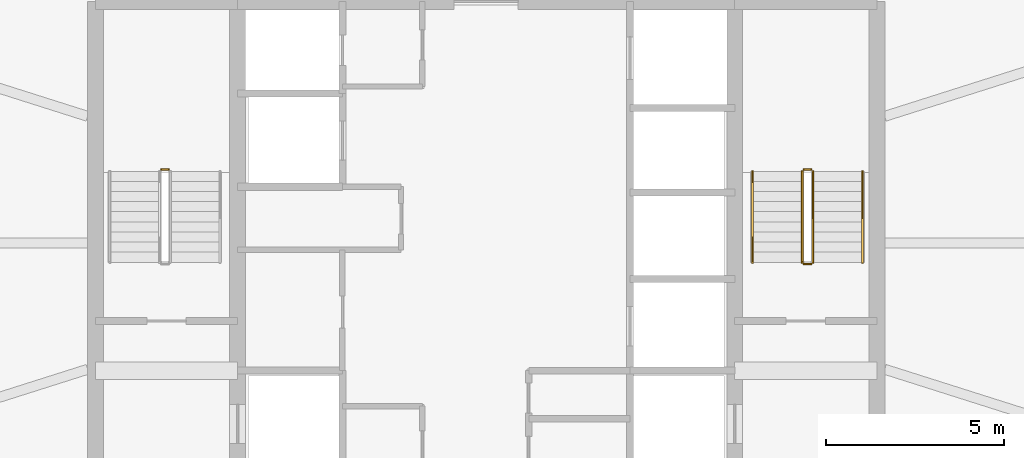
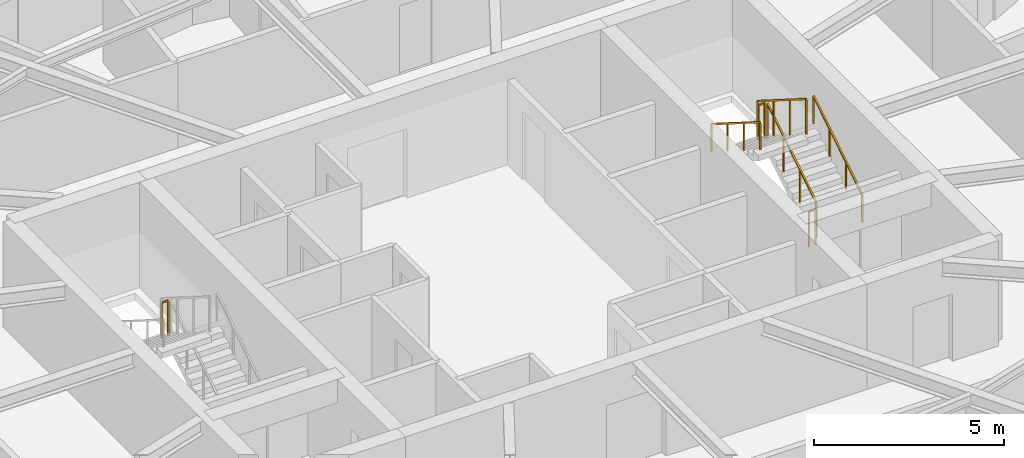
# One storey, part 27 of 27: 7 railings.
"""IFC4 building model written with IfcOpenShell, lengths in metres."""

from ifc_helpers import new_model, si_unit, direction, frame, origin, origin_2d, place, context, subcontext, project, spatial, rectangle, extrude, material, type_object, element, save


model = new_model("IFC4")

# Units and contexts
model_context = context("Model", 3, precision=1e-05, world=origin(), true_north=direction((0.0, 1.0)))
body_context = subcontext(model_context, "Body", "Model", "MODEL_VIEW")
ifc_project = project(units=[si_unit("LENGTHUNIT", "METRE"), si_unit("AREAUNIT", "SQUARE_METRE"), si_unit("VOLUMEUNIT", "CUBIC_METRE"), si_unit("PLANEANGLEUNIT", "RADIAN"), si_unit("MASSUNIT", "GRAM", prefix="KILO")], contexts=[model_context])

# Site, building, storey
site_placement = place(None, origin())
site = spatial("IfcSite", under=ifc_project, at=site_placement, CompositionType="ELEMENT")
building_placement = place(site_placement, origin())
building = spatial("IfcBuilding", under=site, at=building_placement, Name="Sarneth Arch Tower", CompositionType="ELEMENT")
storey_placement = place(building_placement, frame((0.0, 0.0, 193.800048828125)))
storey = spatial("IfcBuildingStorey", under=building, at=storey_placement, Name="L49", CompositionType="ELEMENT", Elevation=193.800048828125)

# Railings
ifc_material_1 = material(Name="Brushed Stainless Steel 304 tubular handrail", Category="steel")
railing_type_1 = type_object("IfcRailingType", Name="RAIL-HANDRAIL-900", PredefinedType="HANDRAIL", material=ifc_material_1)
railing_1_placement = place(storey_placement, frame((58.60009765625, 41.449951171875, 0.179931640625)))
element("IfcRailing", 1, at=railing_1_placement, inside=storey, type_object=railing_type_1, Name="L49 ST-2 stair handrail 1", PredefinedType="HANDRAIL", context=body_context, shape_type="SweptSolid", body=[
    extrude(rectangle(XDim=0.048095703125, YDim=0.048095703125, at=origin_2d()), frame((0.0, 0.0, 0.8759765625), z_axis=(0.0, 0.845465955043, 0.534029323973), x_axis=(-1.0, 0.0, 0.0)), (0.0, 0.0, 1.0), 3.03369140625),
    extrude(rectangle(XDim=0.0419921875, YDim=0.0419921875, at=origin_2d()), origin(), (0.0, 0.0, 1.0), 0.851806640625),
    extrude(rectangle(XDim=0.0419921875, YDim=0.0419921875, at=origin_2d()), frame((0.0, 0.85498046875, 0.5400390625)), (0.0, 0.0, 1.0), 0.851806640625),
    extrude(rectangle(XDim=0.0419921875, YDim=0.0419921875, at=origin_2d()), frame((0.0, 1.7099609375, 1.080078125)), (0.0, 0.0, 1.0), 0.851806640625),
    extrude(rectangle(XDim=0.0419921875, YDim=0.0419921875, at=origin_2d()), frame((0.0, 2.56494140625, 1.6201171875)), (0.0, 0.0, 1.0), 0.851806640625),
])
railing_2_placement = place(storey_placement, frame((55.5, 44.014892578125, 1.97998046875)))
element("IfcRailing", 2, at=railing_2_placement, inside=storey, type_object=railing_type_1, Name="L49 ST-2 stair handrail 2", PredefinedType="HANDRAIL", context=body_context, shape_type="SweptSolid", body=[
    extrude(rectangle(XDim=0.048095703125, YDim=0.048095703125, at=origin_2d()), frame((0.0, 0.0, 0.8759765625), z_axis=(0.0, -0.845502289212, 0.533971796014), x_axis=(1.0, 0.0, 0.0)), (0.0, 0.0, 1.0), 3.03369140625),
    extrude(rectangle(XDim=0.0419921875, YDim=0.0419921875, at=origin_2d()), origin(), (0.0, 0.0, 1.0), 0.851806640625),
    extrude(rectangle(XDim=0.0419921875, YDim=0.0419921875, at=origin_2d()), frame((0.0, -0.85498046875, 0.5400390625)), (0.0, 0.0, 1.0), 0.851806640625),
    extrude(rectangle(XDim=0.0419921875, YDim=0.0419921875, at=origin_2d()), frame((0.0, -1.7099609375, 1.079833984375)), (0.0, 0.0, 1.0), 0.851806640625),
    extrude(rectangle(XDim=0.0419921875, YDim=0.0419921875, at=origin_2d()), frame((0.0, -2.56494140625, 1.619873046875)), (0.0, 0.0, 1.0), 0.851806640625),
])
ifc_material_2 = material(Name="Painted Steel S275 stair well guard", Category="steel")
railing_type_2 = type_object("IfcRailingType", Name="RAIL-STAIR-GUARD", PredefinedType="GUARDRAIL", material=ifc_material_2)
railing_3_placement = place(storey_placement, frame((39.050048828125, 44.06494140625, 1.800048828125)))
element("IfcRailing", 3, at=railing_3_placement, inside=storey, type_object=railing_type_2, Name="L49 ST-1 stair guard 2", PredefinedType="GUARDRAIL", context=body_context, shape_type="SweptSolid", body=[
    extrude(rectangle(XDim=0.048095703125, YDim=0.048095703125, at=origin_2d()), frame((0.0, 0.0, 1.1259765625), z_axis=(-1.0, 0.0, 0.0), x_axis=(0.0, -1.0, 0.0)), (0.0, 0.0, 1.0), 0.199951171875),
    extrude(rectangle(XDim=0.0419921875, YDim=0.0419921875, at=origin_2d()), origin(), (0.0, 0.0, 1.0), 1.101806640625),
    extrude(rectangle(XDim=0.0419921875, YDim=0.0419921875, at=origin_2d()), frame((-0.199951171875, 0.0, 0.0)), (0.0, 0.0, 1.0), 1.101806640625),
])
railing_4_placement = place(storey_placement, frame((57.199951171875, 41.449951171875, 0.179931640625)))
element("IfcRailing", 4, at=railing_4_placement, inside=storey, type_object=railing_type_2, Name="L49 ST-2 stair guard 1", PredefinedType="GUARDRAIL", context=body_context, shape_type="SweptSolid", body=[
    extrude(rectangle(XDim=0.048095703125, YDim=0.048095703125, at=origin_2d()), frame((0.0, 0.0, 1.1259765625), z_axis=(0.0, 0.845465955043, 0.534029323973), x_axis=(-1.0, 0.0, 0.0)), (0.0, 0.0, 1.0), 3.03369140625),
    extrude(rectangle(XDim=0.0419921875, YDim=0.0419921875, at=origin_2d()), origin(), (0.0, 0.0, 1.0), 1.101806640625),
    extrude(rectangle(XDim=0.0419921875, YDim=0.0419921875, at=origin_2d()), frame((0.0, 0.85498046875, 0.5400390625)), (0.0, 0.0, 1.0), 1.101806640625),
    extrude(rectangle(XDim=0.0419921875, YDim=0.0419921875, at=origin_2d()), frame((0.0, 1.7099609375, 1.080078125)), (0.0, 0.0, 1.0), 1.101806640625),
    extrude(rectangle(XDim=0.0419921875, YDim=0.0419921875, at=origin_2d()), frame((0.0, 2.56494140625, 1.6201171875)), (0.0, 0.0, 1.0), 1.101806640625),
])
railing_5_placement = place(storey_placement, frame((57.14990234375, 44.06494140625, 1.800048828125)))
element("IfcRailing", 5, at=railing_5_placement, inside=storey, type_object=railing_type_2, Name="L49 ST-2 stair guard 2", PredefinedType="GUARDRAIL", context=body_context, shape_type="SweptSolid", body=[
    extrude(rectangle(XDim=0.048095703125, YDim=0.048095703125, at=origin_2d()), frame((0.0, 0.0, 1.1259765625), z_axis=(-1.0, 0.0, 0.0), x_axis=(0.0, -1.0, 0.0)), (0.0, 0.0, 1.0), 0.199951171875),
    extrude(rectangle(XDim=0.0419921875, YDim=0.0419921875, at=origin_2d()), origin(), (0.0, 0.0, 1.0), 1.101806640625),
    extrude(rectangle(XDim=0.0419921875, YDim=0.0419921875, at=origin_2d()), frame((-0.199951171875, 0.0, 0.0)), (0.0, 0.0, 1.0), 1.101806640625),
])
railing_6_placement = place(storey_placement, frame((56.89990234375, 44.014892578125, 1.97998046875)))
element("IfcRailing", 6, at=railing_6_placement, inside=storey, type_object=railing_type_2, Name="L49 ST-2 stair guard 3", PredefinedType="GUARDRAIL", context=body_context, shape_type="SweptSolid", body=[
    extrude(rectangle(XDim=0.048095703125, YDim=0.048095703125, at=origin_2d()), frame((0.0, 0.0, 1.1259765625), z_axis=(0.0, -0.845502289212, 0.533971796014), x_axis=(1.0, 0.0, 0.0)), (0.0, 0.0, 1.0), 3.03369140625),
    extrude(rectangle(XDim=0.0419921875, YDim=0.0419921875, at=origin_2d()), origin(), (0.0, 0.0, 1.0), 1.101806640625),
    extrude(rectangle(XDim=0.0419921875, YDim=0.0419921875, at=origin_2d()), frame((0.0, -0.85498046875, 0.5400390625)), (0.0, 0.0, 1.0), 1.101806640625),
    extrude(rectangle(XDim=0.0419921875, YDim=0.0419921875, at=origin_2d()), frame((0.0, -1.7099609375, 1.079833984375)), (0.0, 0.0, 1.0), 1.101806640625),
    extrude(rectangle(XDim=0.0419921875, YDim=0.0419921875, at=origin_2d()), frame((0.0, -2.56494140625, 1.619873046875)), (0.0, 0.0, 1.0), 1.101806640625),
])
railing_7_placement = place(storey_placement, frame((57.14990234375, 41.39990234375, 0.0)))
element("IfcRailing", 7, at=railing_7_placement, inside=storey, type_object=railing_type_2, Name="L49 ST-2 stair guard 4", PredefinedType="GUARDRAIL", context=body_context, shape_type="SweptSolid", body=[
    extrude(rectangle(XDim=0.048095703125, YDim=0.048095703125, at=origin_2d()), frame((0.0, 0.0, 1.1259765625), z_axis=(-1.0, 0.0, 0.0), x_axis=(0.0, -1.0, 0.0)), (0.0, 0.0, 1.0), 0.199951171875),
    extrude(rectangle(XDim=0.0419921875, YDim=0.0419921875, at=origin_2d()), origin(), (0.0, 0.0, 1.0), 1.101806640625),
    extrude(rectangle(XDim=0.0419921875, YDim=0.0419921875, at=origin_2d()), frame((-0.199951171875, 0.0, 0.0)), (0.0, 0.0, 1.0), 1.101806640625),
])

save(model, "model.ifc")
